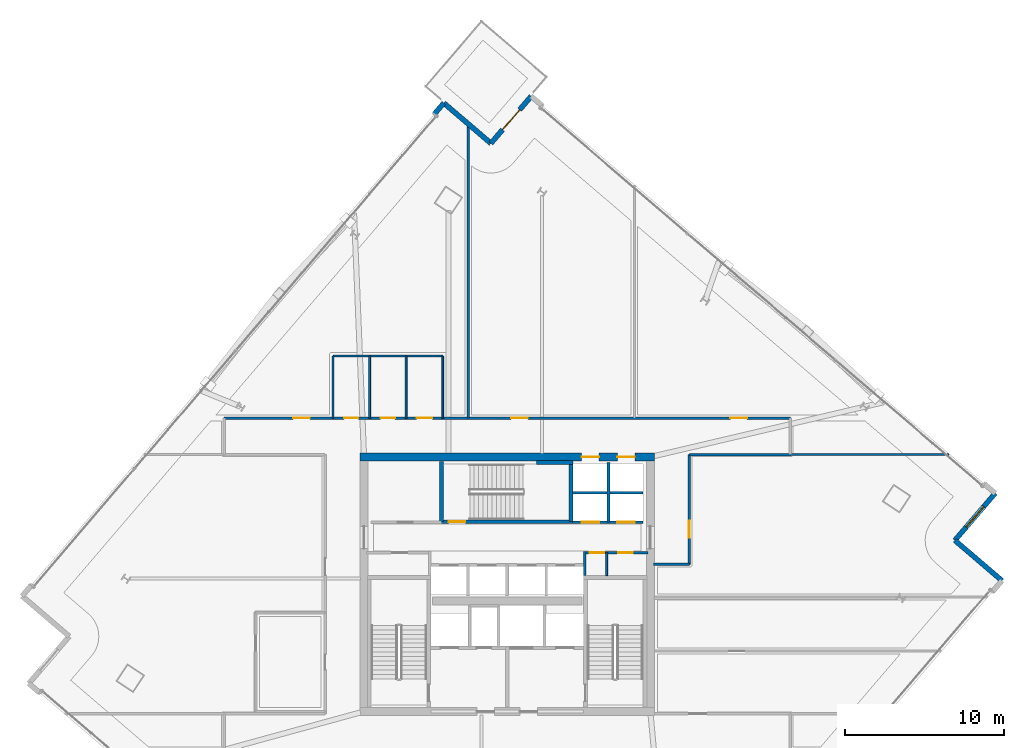
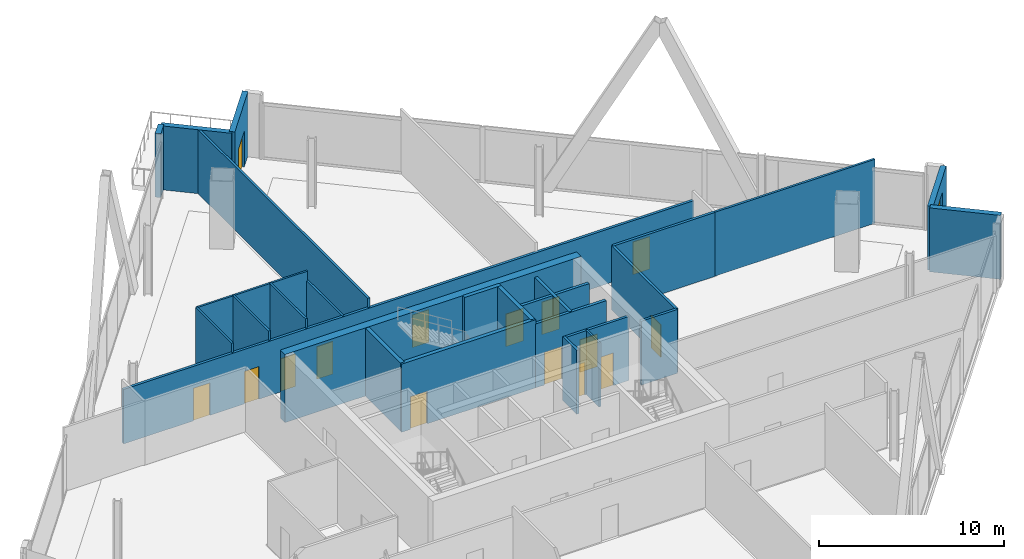
# One storey, part 20 of 26: 27 walls, 15 doors, 1 window, 16 openings.
"""IFC4 building model written with IfcOpenShell, lengths in metres."""

from ifc_helpers import new_model, si_unit, direction, frame, frame_2d, origin, place, context, subcontext, project, spatial, rectangle, extrude, material, layer, layer_set, type_object, element, fill, save


model = new_model("IFC4")

# Units and contexts
model_context = context("Model", 3, precision=1e-05, world=origin(), true_north=direction((0.0, 1.0)))
body_context = subcontext(model_context, "Body", "Model", "MODEL_VIEW")
ifc_project = project(units=[si_unit("LENGTHUNIT", "METRE"), si_unit("AREAUNIT", "SQUARE_METRE"), si_unit("VOLUMEUNIT", "CUBIC_METRE"), si_unit("PLANEANGLEUNIT", "RADIAN"), si_unit("MASSUNIT", "GRAM", prefix="KILO")], contexts=[model_context])

# Site, building, storey
site_placement = place(None, origin())
site = spatial("IfcSite", under=ifc_project, at=site_placement, CompositionType="ELEMENT")
building_placement = place(site_placement, origin())
building = spatial("IfcBuilding", under=site, at=building_placement, Name="Haldenkirk Collegiate Tower", CompositionType="ELEMENT")
storey_placement = place(building_placement, frame((0.0, 0.0, 193.949951171875)))
storey = spatial("IfcBuildingStorey", under=building, at=storey_placement, Name="L48", CompositionType="ELEMENT", Elevation=193.949951171875)

# Wall, openings, doors
ifc_material_1 = material(Name="Concrete f'c 55 MPa", Category="concrete")
ifc_layer_1 = layer(ifc_material_1, 0.5)
ifc_layer_set_1 = layer_set([ifc_layer_1], Name="Concrete f'c 55 MPa")
wall_type_1 = type_object("IfcWallType", Name="WL-CORE-500", PredefinedType="SHEAR", material=ifc_layer_set_1)
wall_1_placement = place(storey_placement, frame((26.75, 34.0, 0.0), z_axis=(0.0, 0.0, 1.0), x_axis=(1.0, 0.0, 0.0)))
wall_1 = element("IfcWall", 1, at=wall_1_placement, inside=storey, type_object=wall_type_1, Name="L48 central core shear wall N", PredefinedType="SHEAR", context=body_context, shape_type="SweptSolid", body=[
    extrude(rectangle(XDim=18.5, YDim=0.5, at=frame_2d((9.25, 0.0))), origin(), (0.0, 0.0, 1.0), 4.5),
])
opening_1_placement = place(wall_1_placement, frame((13.93505859375, 0.0, 0.0)))
opening_1 = element("IfcOpeningElement", 2, at=opening_1_placement, cuts=wall_1, Name="Opening LD-11", PredefinedType="OPENING", context=body_context, shape_type="SweptSolid", body=[
    extrude(rectangle(XDim=1.10009765625, YDim=2.14990234375, at=frame_2d((0.550048828125, 1.074951171875))), frame((0.0, 0.260009765625, 0.0), z_axis=(0.0, -1.0, 0.0), x_axis=(1.0, 0.0, 0.0)), (0.0, 0.0, 1.0), 0.52001953125),
])
opening_2_placement = place(wall_1_placement, frame((16.18505859375, 0.0, 0.0)))
opening_2 = element("IfcOpeningElement", 3, at=opening_2_placement, cuts=wall_1, Name="Opening LD-11", PredefinedType="OPENING", context=body_context, shape_type="SweptSolid", body=[
    extrude(rectangle(XDim=1.10009765625, YDim=2.14990234375, at=frame_2d((0.550048828125, 1.074951171875))), frame((0.0, 0.260009765625, 0.0), z_axis=(0.0, -1.0, 0.0), x_axis=(1.0, 0.0, 0.0)), (0.0, 0.0, 1.0), 0.52001953125),
])
ifc_material_2 = material(Name="Brushed architectural stainless steel", Category="steel")
ifc_layer_2 = layer(ifc_material_2, 0.06005859375)
ifc_layer_set_2 = layer_set([ifc_layer_2], Name="Brushed architectural stainless steel")
door_type_1 = type_object("IfcDoorType", Name="LD-PASS-1100", OperationType="NOTDEFINED", PredefinedType="DOOR", material=ifc_layer_set_2)
door_1_placement = place(opening_1_placement, origin())
door_1 = element("IfcDoor", 4, at=door_1_placement, inside=storey, type_object=door_type_1, Name="L48 Elevator PM3 sliding landing door", OperationType="SLIDING_TO_LEFT", OverallHeight=2.14990234375, OverallWidth=1.10009765625, PredefinedType="DOOR", context=body_context, shape_type="SweptSolid", body=[
    extrude(rectangle(XDim=1.10009765625, YDim=2.14990234375, at=frame_2d((0.550048828125, 1.074951171875))), frame((0.0, 0.02490234375, 0.0), z_axis=(0.0, -1.0, 0.0), x_axis=(1.0, 0.0, 0.0)), (0.0, 0.0, 1.0), 0.050048828125),
])
fill(opening_1, door_1)
door_2_placement = place(opening_2_placement, origin())
door_2 = element("IfcDoor", 5, at=door_2_placement, inside=storey, type_object=door_type_1, Name="L48 Elevator PM4 sliding landing door", OperationType="SLIDING_TO_LEFT", OverallHeight=2.14990234375, OverallWidth=1.10009765625, PredefinedType="DOOR", context=body_context, shape_type="SweptSolid", body=[
    extrude(rectangle(XDim=1.10009765625, YDim=2.14990234375, at=frame_2d((0.550048828125, 1.074951171875))), frame((0.0, 0.02490234375, 0.0), z_axis=(0.0, -1.0, 0.0), x_axis=(1.0, 0.0, 0.0)), (0.0, 0.0, 1.0), 0.050048828125),
])
fill(opening_2, door_2)

# Wall
ifc_material_3 = material(Name="Precast concrete f'c 40 MPa", Category="concrete")
ifc_layer_3 = layer(ifc_material_3, 0.320068359375)
ifc_layer_set_3 = layer_set([ifc_layer_3], Name="Precast concrete f'c 40 MPa")
wall_type_2 = type_object("IfcWallType", Name="WL-EXT-TWR-320", PredefinedType="STANDARD", material=ifc_layer_set_3)
wall_2_placement = place(storey_placement, frame((64.155029296875, 28.758544921875, 0.0), z_axis=(0.0, 0.0, 1.0), x_axis=(0.759844000319, -0.650105449276, 0.0)))
element("IfcWall", 6, at=wall_2_placement, inside=storey, type_object=wall_type_2, Name="L48 bronze precast notch wall 02", PredefinedType="STANDARD", context=body_context, shape_type="SweptSolid", body=[
    extrude(rectangle(XDim=3.89990234375, YDim=0.320068359375, at=frame_2d((1.949951171875, 0.0))), origin(), (0.0, 0.0, 1.0), 4.219970703125),
])

# Wall, opening, window
wall_3_placement = place(storey_placement, frame((66.6904296875, 31.721923828125, 0.0), z_axis=(0.0, 0.0, 1.0), x_axis=(-0.650105449276, -0.759844000319, 0.0)))
wall_3 = element("IfcWall", 7, at=wall_3_placement, inside=storey, type_object=wall_type_2, Name="L48 bronze precast notch wall 03", PredefinedType="STANDARD", context=body_context, shape_type="SweptSolid", body=[
    extrude(rectangle(XDim=3.89990234375, YDim=0.320068359375, at=frame_2d((1.949951171875, 0.0))), origin(), (0.0, 0.0, 1.0), 4.219970703125),
])
opening_3_placement = place(wall_3_placement, frame((1.10009765625, 0.0, 0.75)))
opening_3 = element("IfcOpeningElement", 8, at=opening_3_placement, cuts=wall_3, Name="Opening W-09", PredefinedType="OPENING", context=body_context, shape_type="SweptSolid", body=[
    extrude(rectangle(XDim=1.699951171875, YDim=2.5, at=frame_2d((0.85009765625, 1.25))), frame((0.0, 0.169921875, 0.0), z_axis=(0.0, -1.0, 0.0), x_axis=(1.0, 0.0, 0.0)), (0.0, 0.0, 1.0), 0.340087890625),
])
ifc_material_4 = material(Name="Low-E argon triple insulating glass", Category="glass")
ifc_layer_4 = layer(ifc_material_4, 0.090087890625)
ifc_layer_set_4 = layer_set([ifc_layer_4], Name="Low-E argon triple insulating glass")
window_type = type_object("IfcWindowType", Name="WN-SG-1700X2500", PartitioningType="SINGLE_PANEL", PredefinedType="WINDOW", material=ifc_layer_set_4)
window_placement = place(opening_3_placement, origin())
window = element("IfcWindow", 9, at=window_placement, inside=storey, type_object=window_type, Name="L48 precast-frame academic window 2", OverallHeight=2.5, OverallWidth=1.699951171875, PartitioningType="SINGLE_PANEL", PredefinedType="WINDOW", context=body_context, shape_type="SweptSolid", body=[
    extrude(rectangle(XDim=1.699951171875, YDim=2.5, at=frame_2d((0.85009765625, 1.25))), frame((0.0, 0.030029296875, 0.0), z_axis=(0.0, -1.0, 0.0), x_axis=(1.0, 0.0, 0.0)), (0.0, 0.0, 1.0), 0.06005859375),
])
fill(opening_3, window)

# Wall, opening, door
wall_4_placement = place(storey_placement, frame((34.977294921875, 53.722900390625, 0.0), z_axis=(0.0, 0.0, 1.0), x_axis=(0.650105449276, 0.759844000319, 0.0)))
wall_4 = element("IfcWall", 10, at=wall_4_placement, inside=storey, type_object=wall_type_2, Name="L48 bronze precast notch wall 05", PredefinedType="STANDARD", context=body_context, shape_type="SweptSolid", body=[
    extrude(rectangle(XDim=3.89990234375, YDim=0.320068359375, at=frame_2d((1.949951171875, 0.0))), origin(), (0.0, 0.0, 1.0), 4.219970703125),
])
opening_4_placement = place(wall_4_placement, frame((1.125, 0.0, 0.0)))
opening_4 = element("IfcOpeningElement", 11, at=opening_4_placement, cuts=wall_4, Name="Opening D-SG16", PredefinedType="OPENING", context=body_context, shape_type="SweptSolid", body=[
    extrude(rectangle(XDim=1.64990234375, YDim=2.35009765625, at=frame_2d((0.824951171875, 1.175048828125))), frame((0.0, 0.169921875, 0.0), z_axis=(0.0, -1.0, 0.0), x_axis=(1.0, 0.0, 0.0)), (0.0, 0.0, 1.0), 0.340087890625),
])
ifc_material_5 = material(Name="Anodised architectural bronze aluminium", Category="aluminium")
ifc_layer_5 = layer(ifc_material_5, 0.080078125)
ifc_layer_set_5 = layer_set([ifc_layer_5], Name="Anodised architectural bronze aluminium")
door_type_2 = type_object("IfcDoorType", Name="DR-EXT-SGAR-1650", OperationType="NOTDEFINED", PredefinedType="DOOR", material=ifc_layer_set_5)
door_3_placement = place(opening_4_placement, origin())
door_3 = element("IfcDoor", 12, at=door_3_placement, inside=storey, type_object=door_type_2, Name="L48 sky-garden door", OperationType="DOUBLE_DOOR_SINGLE_SWING", OverallHeight=2.35009765625, OverallWidth=1.64990234375, PredefinedType="DOOR", context=body_context, shape_type="SweptSolid", body=[
    extrude(rectangle(XDim=1.64990234375, YDim=2.35009765625, at=frame_2d((0.824951171875, 1.175048828125))), frame((0.0, 0.02490234375, 0.0), z_axis=(0.0, -1.0, 0.0), x_axis=(1.0, 0.0, 0.0)), (0.0, 0.0, 1.0), 0.050048828125),
])
fill(opening_4, door_3)

# Walls
wall_5_placement = place(storey_placement, frame((32.013916015625, 56.25830078125, 0.0), z_axis=(0.0, 0.0, 1.0), x_axis=(0.759844000319, -0.650105449276, 0.0)))
element("IfcWall", 13, at=wall_5_placement, inside=storey, type_object=wall_type_2, Name="L48 bronze precast notch wall 06", PredefinedType="STANDARD", context=body_context, shape_type="SweptSolid", body=[
    extrude(rectangle(XDim=3.89990234375, YDim=0.320068359375, at=frame_2d((1.949951171875, 0.0))), origin(), (0.0, 0.0, 1.0), 4.219970703125),
])
wall_6_placement = place(storey_placement, frame((31.4287109375, 55.57421875, 0.0), z_axis=(0.0, 0.0, 1.0), x_axis=(0.650054054962, 0.759887969129, 0.0)))
element("IfcWall", 14, at=wall_6_placement, inside=storey, type_object=wall_type_2, Name="L48 precast corner pier NR", PredefinedType="STANDARD", context=body_context, shape_type="SweptSolid", body=[
    extrude(rectangle(XDim=0.900146484375, YDim=0.320068359375, at=frame_2d((0.4501953125, 0.0))), origin(), (0.0, 0.0, 1.0), 4.219970703125),
])

# Wall, openings, doors
ifc_material_6 = material(Name="Acoustic fire-rated gypsum partition", Category="concrete")
ifc_layer_6 = layer(ifc_material_6, 0.159912109375)
ifc_layer_set_6 = layer_set([ifc_layer_6], Name="Acoustic fire-rated gypsum partition")
wall_type_3 = type_object("IfcWallType", Name="WL-INT-CORR-160", PredefinedType="PARTITIONING", material=ifc_layer_set_6)
wall_7_placement = place(storey_placement, frame((40.800048828125, 27.97998046875, 0.0), z_axis=(0.0, 0.0, 1.0), x_axis=(1.0, 0.0, 0.0)))
wall_7 = element("IfcWall", 15, at=wall_7_placement, inside=storey, type_object=wall_type_3, Name="L48 interior partition IW-L48-VCSE-N", PredefinedType="PARTITIONING", context=body_context, shape_type="SweptSolid", body=[
    extrude(rectangle(XDim=4.050048828125, YDim=0.159912109375, at=frame_2d((2.02490234375, 0.0))), origin(), (0.0, 0.0, 1.0), 4.219970703125),
])
opening_5_placement = place(wall_7_placement, frame((0.407470703125, 0.0, 0.0)))
opening_5 = element("IfcOpeningElement", 16, at=opening_5_placement, cuts=wall_7, Name="Opening D-11", PredefinedType="OPENING", context=body_context, shape_type="SweptSolid", body=[
    extrude(rectangle(XDim=0.89990234375, YDim=2.14990234375, at=frame_2d((0.449951171875, 1.074951171875))), frame((0.0, 0.08984375, 0.0), z_axis=(0.0, -1.0, 0.0), x_axis=(1.0, 0.0, 0.0)), (0.0, 0.0, 1.0), 0.179931640625),
])
opening_6_placement = place(wall_7_placement, frame((2.199951171875, 0.0, 0.0)))
opening_6 = element("IfcOpeningElement", 17, at=opening_6_placement, cuts=wall_7, Name="Opening D-11", PredefinedType="OPENING", context=body_context, shape_type="SweptSolid", body=[
    extrude(rectangle(XDim=0.89990234375, YDim=2.14990234375, at=frame_2d((0.449951171875, 1.074951171875))), frame((0.0, 0.08984375, 0.0), z_axis=(0.0, -1.0, 0.0), x_axis=(1.0, 0.0, 0.0)), (0.0, 0.0, 1.0), 0.179931640625),
])
ifc_material_7 = material(Name="Solid-core architectural oak fire door", Category="wood")
ifc_layer_7 = layer(ifc_material_7, 0.06005859375)
ifc_layer_set_7 = layer_set([ifc_layer_7], Name="Solid-core architectural oak fire door")
door_type_3 = type_object("IfcDoorType", Name="DR-INT-FD60-900", OperationType="NOTDEFINED", PredefinedType="DOOR", material=ifc_layer_set_7)
door_4_placement = place(opening_5_placement, origin())
door_4 = element("IfcDoor", 18, at=door_4_placement, inside=storey, type_object=door_type_3, Name="L48 core copy room door", OperationType="SINGLE_SWING_RIGHT", OverallHeight=2.14990234375, OverallWidth=0.89990234375, PredefinedType="DOOR", context=body_context, shape_type="SweptSolid", body=[
    extrude(rectangle(XDim=0.89990234375, YDim=2.14990234375, at=frame_2d((0.449951171875, 1.074951171875))), frame((0.0, 0.02490234375, 0.0), z_axis=(0.0, -1.0, 0.0), x_axis=(1.0, 0.0, 0.0)), (0.0, 0.0, 1.0), 0.050048828125),
])
fill(opening_5, door_4)
door_5_placement = place(opening_6_placement, origin())
door_5 = element("IfcDoor", 19, at=door_5_placement, inside=storey, type_object=door_type_3, Name="L48 core records store door", OperationType="SINGLE_SWING_LEFT", OverallHeight=2.14990234375, OverallWidth=0.89990234375, PredefinedType="DOOR", context=body_context, shape_type="SweptSolid", body=[
    extrude(rectangle(XDim=0.89990234375, YDim=2.14990234375, at=frame_2d((0.449951171875, 1.074951171875))), frame((0.0, 0.02490234375, 0.0), z_axis=(0.0, -1.0, 0.0), x_axis=(1.0, 0.0, 0.0)), (0.0, 0.0, 1.0), 0.050048828125),
])
fill(opening_6, door_5)

# Wall
wall_8_placement = place(storey_placement, frame((40.8798828125, 26.5400390625, 0.0), z_axis=(0.0, 0.0, 1.0), x_axis=(0.0, 1.0, 0.0)))
element("IfcWall", 20, at=wall_8_placement, inside=storey, type_object=wall_type_3, Name="L48 interior partition IW-L48-VCSE-W", PredefinedType="PARTITIONING", context=body_context, shape_type="SweptSolid", body=[
    extrude(rectangle(XDim=1.510009765625, YDim=0.159912109375, at=frame_2d((0.7548828125, 0.0))), origin(), (0.0, 0.0, 1.0), 4.219970703125),
])

# Wall, openings, doors
wall_9_placement = place(storey_placement, frame((18.199951171875, 36.449951171875, 0.0), z_axis=(0.0, 0.0, 1.0), x_axis=(1.0, 0.0, 0.0)))
wall_9 = element("IfcWall", 21, at=wall_9_placement, inside=storey, type_object=wall_type_3, Name="L48 interior partition IW-L48-CN", PredefinedType="PARTITIONING", context=body_context, shape_type="SweptSolid", body=[
    extrude(rectangle(XDim=35.60009765625, YDim=0.159912109375, at=frame_2d((17.800048828125, 0.0))), origin(), (0.0, 0.0, 1.0), 3.59912109375),
])
opening_7_placement = place(wall_9_placement, frame((7.550048828125, 0.0, 0.0)))
opening_7 = element("IfcOpeningElement", 22, at=opening_7_placement, cuts=wall_9, Name="Opening D-13", PredefinedType="OPENING", context=body_context, shape_type="SweptSolid", body=[
    extrude(rectangle(XDim=0.89990234375, YDim=2.14990234375, at=frame_2d((0.449951171875, 1.074951171875))), frame((0.0, 0.08984375, 0.0), z_axis=(0.0, -1.0, 0.0), x_axis=(1.0, 0.0, 0.0)), (0.0, 0.0, 1.0), 0.179931640625),
])
opening_8_placement = place(wall_9_placement, frame((9.85009765625, 0.0, 0.0)))
opening_8 = element("IfcOpeningElement", 23, at=opening_8_placement, cuts=wall_9, Name="Opening D-13", PredefinedType="OPENING", context=body_context, shape_type="SweptSolid", body=[
    extrude(rectangle(XDim=0.89990234375, YDim=2.14990234375, at=frame_2d((0.449951171875, 1.074951171875))), frame((0.0, 0.08984375, 0.0), z_axis=(0.0, -1.0, 0.0), x_axis=(1.0, 0.0, 0.0)), (0.0, 0.0, 1.0), 0.179931640625),
])
opening_9_placement = place(wall_9_placement, frame((12.10009765625, 0.0, 0.0)))
opening_9 = element("IfcOpeningElement", 24, at=opening_9_placement, cuts=wall_9, Name="Opening D-14", PredefinedType="OPENING", context=body_context, shape_type="SweptSolid", body=[
    extrude(rectangle(XDim=1.0, YDim=2.14990234375, at=frame_2d((0.5, 1.074951171875))), frame((0.0, 0.08984375, 0.0), z_axis=(0.0, -1.0, 0.0), x_axis=(1.0, 0.0, 0.0)), (0.0, 0.0, 1.0), 0.179931640625),
])
opening_10_placement = place(wall_9_placement, frame((4.344970703125, 0.0, 0.0)))
opening_10 = element("IfcOpeningElement", 25, at=opening_10_placement, cuts=wall_9, Name="Opening D-09", PredefinedType="OPENING", context=body_context, shape_type="SweptSolid", body=[
    extrude(rectangle(XDim=1.050048828125, YDim=2.14990234375, at=frame_2d((0.52490234375, 1.074951171875))), frame((0.0, 0.08984375, 0.0), z_axis=(0.0, -1.0, 0.0), x_axis=(1.0, 0.0, 0.0)), (0.0, 0.0, 1.0), 0.179931640625),
])
opening_11_placement = place(wall_9_placement, frame((18.049072265625, 0.0, 0.0)))
opening_11 = element("IfcOpeningElement", 26, at=opening_11_placement, cuts=wall_9, Name="Opening D-09", PredefinedType="OPENING", context=body_context, shape_type="SweptSolid", body=[
    extrude(rectangle(XDim=1.050048828125, YDim=2.14990234375, at=frame_2d((0.52490234375, 1.074951171875))), frame((0.0, 0.08984375, 0.0), z_axis=(0.0, -1.0, 0.0), x_axis=(1.0, 0.0, 0.0)), (0.0, 0.0, 1.0), 0.179931640625),
])
opening_12_placement = place(wall_9_placement, frame((31.8330078125, 0.0, 0.0)))
opening_12 = element("IfcOpeningElement", 27, at=opening_12_placement, cuts=wall_9, Name="Opening D-09", PredefinedType="OPENING", context=body_context, shape_type="SweptSolid", body=[
    extrude(rectangle(XDim=1.050048828125, YDim=2.14990234375, at=frame_2d((0.52490234375, 1.074951171875))), frame((0.0, 0.08984375, 0.0), z_axis=(0.0, -1.0, 0.0), x_axis=(1.0, 0.0, 0.0)), (0.0, 0.0, 1.0), 0.179931640625),
])
ifc_layer_8 = layer(ifc_material_7, 0.06005859375)
ifc_layer_set_8 = layer_set([ifc_layer_8], Name="Solid-core architectural oak fire door")
door_type_4 = type_object("IfcDoorType", Name="DR-INT-ACC-1000", OperationType="NOTDEFINED", PredefinedType="DOOR", material=ifc_layer_set_8)
door_6_placement = place(opening_9_placement, origin())
door_6 = element("IfcDoor", 28, at=door_6_placement, inside=storey, type_object=door_type_4, Name="L48 Accessible WC door", OperationType="SINGLE_SWING_LEFT", OverallHeight=2.14990234375, OverallWidth=1.0, PredefinedType="DOOR", context=body_context, shape_type="SweptSolid", body=[
    extrude(rectangle(XDim=1.0, YDim=2.14990234375, at=frame_2d((0.5, 1.074951171875))), frame((0.0, 0.02490234375, 0.0), z_axis=(0.0, -1.0, 0.0), x_axis=(1.0, 0.0, 0.0)), (0.0, 0.0, 1.0), 0.050048828125),
])
fill(opening_9, door_6)
ifc_layer_9 = layer(ifc_material_7, 0.06005859375)
ifc_layer_set_9 = layer_set([ifc_layer_9], Name="Solid-core architectural oak fire door")
door_type_5 = type_object("IfcDoorType", Name="DR-INT-FD60-1050", OperationType="NOTDEFINED", PredefinedType="DOOR", material=ifc_layer_set_9)
door_7_placement = place(opening_10_placement, origin())
door_7 = element("IfcDoor", 29, at=door_7_placement, inside=storey, type_object=door_type_5, Name="L48 Rare Folio Vault 6 door", OperationType="SINGLE_SWING_LEFT", OverallHeight=2.14990234375, OverallWidth=1.050048828125, PredefinedType="DOOR", context=body_context, shape_type="SweptSolid", body=[
    extrude(rectangle(XDim=1.050048828125, YDim=2.14990234375, at=frame_2d((0.52490234375, 1.074951171875))), frame((0.0, 0.02490234375, 0.0), z_axis=(0.0, -1.0, 0.0), x_axis=(1.0, 0.0, 0.0)), (0.0, 0.0, 1.0), 0.050048828125),
])
fill(opening_10, door_7)
door_8_placement = place(opening_11_placement, origin())
door_8 = element("IfcDoor", 30, at=door_8_placement, inside=storey, type_object=door_type_5, Name="L48 Student Wellness Clinic 7 door", OperationType="SINGLE_SWING_RIGHT", OverallHeight=2.14990234375, OverallWidth=1.050048828125, PredefinedType="DOOR", context=body_context, shape_type="SweptSolid", body=[
    extrude(rectangle(XDim=1.050048828125, YDim=2.14990234375, at=frame_2d((0.52490234375, 1.074951171875))), frame((0.0, 0.02490234375, 0.0), z_axis=(0.0, -1.0, 0.0), x_axis=(1.0, 0.0, 0.0)), (0.0, 0.0, 1.0), 0.050048828125),
])
fill(opening_11, door_8)
door_9_placement = place(opening_12_placement, origin())
door_9 = element("IfcDoor", 31, at=door_9_placement, inside=storey, type_object=door_type_5, Name="L48 Ergonomics Clinic 8 door", OperationType="SINGLE_SWING_LEFT", OverallHeight=2.14990234375, OverallWidth=1.050048828125, PredefinedType="DOOR", context=body_context, shape_type="SweptSolid", body=[
    extrude(rectangle(XDim=1.050048828125, YDim=2.14990234375, at=frame_2d((0.52490234375, 1.074951171875))), frame((0.0, 0.02490234375, 0.0), z_axis=(0.0, -1.0, 0.0), x_axis=(1.0, 0.0, 0.0)), (0.0, 0.0, 1.0), 0.050048828125),
])
fill(opening_12, door_9)
ifc_layer_10 = layer(ifc_material_7, 0.06005859375)
ifc_layer_set_10 = layer_set([ifc_layer_10], Name="Solid-core architectural oak fire door")
door_type_6 = type_object("IfcDoorType", Name="DR-INT-STD-900", OperationType="NOTDEFINED", PredefinedType="DOOR", material=ifc_layer_set_10)
door_10_placement = place(opening_7_placement, origin())
door_10 = element("IfcDoor", 32, at=door_10_placement, inside=storey, type_object=door_type_6, Name="L48 Male WC door", OperationType="SINGLE_SWING_LEFT", OverallHeight=2.14990234375, OverallWidth=0.89990234375, PredefinedType="DOOR", context=body_context, shape_type="SweptSolid", body=[
    extrude(rectangle(XDim=0.89990234375, YDim=2.14990234375, at=frame_2d((0.449951171875, 1.074951171875))), frame((0.0, 0.02490234375, 0.0), z_axis=(0.0, -1.0, 0.0), x_axis=(1.0, 0.0, 0.0)), (0.0, 0.0, 1.0), 0.050048828125),
])
fill(opening_7, door_10)
door_11_placement = place(opening_8_placement, origin())
door_11 = element("IfcDoor", 33, at=door_11_placement, inside=storey, type_object=door_type_6, Name="L48 Female WC door", OperationType="SINGLE_SWING_RIGHT", OverallHeight=2.14990234375, OverallWidth=0.89990234375, PredefinedType="DOOR", context=body_context, shape_type="SweptSolid", body=[
    extrude(rectangle(XDim=0.89990234375, YDim=2.14990234375, at=frame_2d((0.449951171875, 1.074951171875))), frame((0.0, 0.02490234375, 0.0), z_axis=(0.0, -1.0, 0.0), x_axis=(1.0, 0.0, 0.0)), (0.0, 0.0, 1.0), 0.050048828125),
])
fill(opening_8, door_11)

# Wall
wall_10_placement = place(storey_placement, frame((47.449951171875, 34.14990234375, 0.0), z_axis=(0.0, 0.0, 1.0), x_axis=(1.0, 0.0, 0.0)))
element("IfcWall", 34, at=wall_10_placement, inside=storey, type_object=wall_type_3, Name="L48 interior partition IW-L48-CNE", PredefinedType="PARTITIONING", context=body_context, shape_type="SweptSolid", body=[
    extrude(rectangle(XDim=6.35009765625, YDim=0.159912109375, at=frame_2d((3.175048828125, 0.0))), origin(), (0.0, 0.0, 1.0), 4.219970703125),
])

# Wall, opening, door
wall_11_placement = place(storey_placement, frame((47.449951171875, 27.25, 0.0), z_axis=(0.0, 0.0, 1.0), x_axis=(0.0, 1.0, 0.0)))
wall_11 = element("IfcWall", 35, at=wall_11_placement, inside=storey, type_object=wall_type_3, Name="L48 interior partition IW-L48-CE", PredefinedType="PARTITIONING", context=body_context, shape_type="SweptSolid", body=[
    extrude(rectangle(XDim=6.89990234375, YDim=0.159912109375, at=frame_2d((3.449951171875, 0.0))), origin(), (0.0, 0.0, 1.0), 4.219970703125),
])
opening_13_placement = place(wall_11_placement, frame((1.68310546875, 0.0, 0.0)))
opening_13 = element("IfcOpeningElement", 36, at=opening_13_placement, cuts=wall_11, Name="Opening D-09", PredefinedType="OPENING", context=body_context, shape_type="SweptSolid", body=[
    extrude(rectangle(XDim=1.050048828125, YDim=2.14990234375, at=frame_2d((0.52490234375, 1.074951171875))), frame((0.0, 0.08984375, 0.0), z_axis=(0.0, -1.0, 0.0), x_axis=(1.0, 0.0, 0.0)), (0.0, 0.0, 1.0), 0.179931640625),
])
door_12_placement = place(opening_13_placement, origin())
door_12 = element("IfcDoor", 37, at=door_12_placement, inside=storey, type_object=door_type_5, Name="L48 Rare Folio Vault 12 door", OperationType="SINGLE_SWING_LEFT", OverallHeight=2.14990234375, OverallWidth=1.050048828125, PredefinedType="DOOR", context=body_context, shape_type="SweptSolid", body=[
    extrude(rectangle(XDim=1.050048828125, YDim=2.14990234375, at=frame_2d((0.52490234375, 1.074951171875))), frame((0.0, 0.02490234375, 0.0), z_axis=(0.0, -1.0, 0.0), x_axis=(1.0, 0.0, 0.0)), (0.0, 0.0, 1.0), 0.050048828125),
])
fill(opening_13, door_12)

# Walls
wall_12_placement = place(storey_placement, frame((45.199951171875, 27.25, 0.0), z_axis=(0.0, 0.0, 1.0), x_axis=(1.0, 0.0, 0.0)))
element("IfcWall", 38, at=wall_12_placement, inside=storey, type_object=wall_type_3, Name="L48 interior partition IW-L48-CES", PredefinedType="PARTITIONING", context=body_context, shape_type="SweptSolid", body=[
    extrude(rectangle(XDim=2.25, YDim=0.159912109375, at=frame_2d((1.125, 0.0))), origin(), (0.0, 0.0, 1.0), 4.219970703125),
])
ifc_layer_11 = layer(ifc_material_6, 0.139892578125)
ifc_layer_set_11 = layer_set([ifc_layer_11], Name="Acoustic fire-rated gypsum partition")
wall_type_4 = type_object("IfcWallType", Name="WL-INT-DIV-140", PredefinedType="PARTITIONING", material=ifc_layer_set_11)
wall_13_placement = place(storey_placement, frame((53.800048828125, 34.14990234375, 0.0), z_axis=(0.0, 0.0, 1.0), x_axis=(1.0, 0.0, 0.0)))
element("IfcWall", 39, at=wall_13_placement, inside=storey, type_object=wall_type_4, Name="L48 interior partition IW-L48-BEN", PredefinedType="PARTITIONING", context=body_context, shape_type="SweptSolid", body=[
    extrude(rectangle(XDim=9.990966796875, YDim=0.139892578125, at=frame_2d((4.99560546875, 0.0))), origin(), (0.0, 0.0, 1.0), 4.219970703125),
])
wall_14_placement = place(storey_placement, frame((33.550048828125, 36.449951171875, 0.0), z_axis=(0.0, 0.0, 1.0), x_axis=(0.0, 1.0, 0.0)))
element("IfcWall", 40, at=wall_14_placement, inside=storey, type_object=wall_type_4, Name="L48 interior partition IW-L48-RN1", PredefinedType="PARTITIONING", context=body_context, shape_type="SweptSolid", body=[
    extrude(rectangle(XDim=18.44140625, YDim=0.139892578125, at=frame_2d((9.220703125, 0.0))), origin(), (0.0, 0.0, 1.0), 4.219970703125),
])

# Wall, openings, doors
ifc_material_8 = material(Name="Fire-rated gypsum shaftboard assembly", Category="concrete")
ifc_layer_12 = layer(ifc_material_8, 0.179931640625)
ifc_layer_set_12 = layer_set([ifc_layer_12], Name="Fire-rated gypsum shaftboard assembly")
wall_type_5 = type_object("IfcWallType", Name="WL-INT-SHAFT-180", PredefinedType="PARTITIONING", material=ifc_layer_set_12)
wall_15_placement = place(storey_placement, frame((40.1201171875, 29.89990234375, 0.0), z_axis=(0.0, 0.0, 1.0), x_axis=(1.0, 0.0, 0.0)))
wall_15 = element("IfcWall", 41, at=wall_15_placement, inside=storey, type_object=wall_type_5, Name="L48 interior partition IW-L48-PMS", PredefinedType="PARTITIONING", context=body_context, shape_type="SweptSolid", body=[
    extrude(rectangle(XDim=4.429931640625, YDim=0.179931640625, at=frame_2d((2.21484375, 0.0))), origin(), (0.0, 0.0, 1.0), 4.219970703125),
])
opening_14_placement = place(wall_15_placement, frame((0.56494140625, 0.0, 0.0)))
opening_14 = element("IfcOpeningElement", 42, at=opening_14_placement, cuts=wall_15, Name="Opening LD-11", PredefinedType="OPENING", context=body_context, shape_type="SweptSolid", body=[
    extrude(rectangle(XDim=1.10009765625, YDim=2.14990234375, at=frame_2d((0.550048828125, 1.074951171875))), frame((0.0, 0.099853515625, 0.0), z_axis=(0.0, -1.0, 0.0), x_axis=(1.0, 0.0, 0.0)), (0.0, 0.0, 1.0), 0.199951171875),
])
opening_15_placement = place(wall_15_placement, frame((2.81494140625, 0.0, 0.0)))
opening_15 = element("IfcOpeningElement", 43, at=opening_15_placement, cuts=wall_15, Name="Opening LD-11", PredefinedType="OPENING", context=body_context, shape_type="SweptSolid", body=[
    extrude(rectangle(XDim=1.10009765625, YDim=2.14990234375, at=frame_2d((0.550048828125, 1.074951171875))), frame((0.0, 0.099853515625, 0.0), z_axis=(0.0, -1.0, 0.0), x_axis=(1.0, 0.0, 0.0)), (0.0, 0.0, 1.0), 0.199951171875),
])
door_13_placement = place(opening_14_placement, origin())
door_13 = element("IfcDoor", 44, at=door_13_placement, inside=storey, type_object=door_type_1, Name="L48 Elevator PM1 sliding landing door", OperationType="SLIDING_TO_LEFT", OverallHeight=2.14990234375, OverallWidth=1.10009765625, PredefinedType="DOOR", context=body_context, shape_type="SweptSolid", body=[
    extrude(rectangle(XDim=1.10009765625, YDim=2.14990234375, at=frame_2d((0.550048828125, 1.074951171875))), frame((0.0, 0.02490234375, 0.0), z_axis=(0.0, -1.0, 0.0), x_axis=(1.0, 0.0, 0.0)), (0.0, 0.0, 1.0), 0.050048828125),
])
fill(opening_14, door_13)
door_14_placement = place(opening_15_placement, origin())
door_14 = element("IfcDoor", 45, at=door_14_placement, inside=storey, type_object=door_type_1, Name="L48 Elevator PM2 sliding landing door", OperationType="SLIDING_TO_LEFT", OverallHeight=2.14990234375, OverallWidth=1.10009765625, PredefinedType="DOOR", context=body_context, shape_type="SweptSolid", body=[
    extrude(rectangle(XDim=1.10009765625, YDim=2.14990234375, at=frame_2d((0.550048828125, 1.074951171875))), frame((0.0, 0.02490234375, 0.0), z_axis=(0.0, -1.0, 0.0), x_axis=(1.0, 0.0, 0.0)), (0.0, 0.0, 1.0), 0.050048828125),
])
fill(opening_15, door_14)

# Walls
wall_16_placement = place(storey_placement, frame((40.1201171875, 31.75, 0.0), z_axis=(0.0, 0.0, 1.0), x_axis=(1.0, 0.0, 0.0)))
element("IfcWall", 46, at=wall_16_placement, inside=storey, type_object=wall_type_5, Name="L48 interior partition IW-L48-PMM", PredefinedType="PARTITIONING", context=body_context, shape_type="SweptSolid", body=[
    extrude(rectangle(XDim=4.429931640625, YDim=0.179931640625, at=frame_2d((2.21484375, 0.0))), origin(), (0.0, 0.0, 1.0), 4.219970703125),
])
wall_17_placement = place(storey_placement, frame((42.3701171875, 29.89990234375, 0.0), z_axis=(0.0, 0.0, 1.0), x_axis=(0.0, 1.0, 0.0)))
element("IfcWall", 47, at=wall_17_placement, inside=storey, type_object=wall_type_5, Name="L48 interior partition IW-L48-PMV", PredefinedType="PARTITIONING", context=body_context, shape_type="SweptSolid", body=[
    extrude(rectangle(XDim=3.75, YDim=0.179931640625, at=frame_2d((1.875, 0.0))), origin(), (0.0, 0.0, 1.0), 4.219970703125),
])
ifc_layer_13 = layer(ifc_material_6, 0.1201171875)
ifc_layer_set_13 = layer_set([ifc_layer_13], Name="Acoustic fire-rated gypsum partition")
wall_type_6 = type_object("IfcWallType", Name="WL-INT-WET-120", PredefinedType="PARTITIONING", material=ifc_layer_set_13)
wall_18_placement = place(storey_placement, frame((42.25, 26.5400390625, 0.0), z_axis=(0.0, 0.0, 1.0), x_axis=(0.0, 1.0, 0.0)))
element("IfcWall", 48, at=wall_18_placement, inside=storey, type_object=wall_type_6, Name="L48 interior partition IW-L48-VCSE-M", PredefinedType="PARTITIONING", context=body_context, shape_type="SweptSolid", body=[
    extrude(rectangle(XDim=1.43994140625, YDim=0.1201171875, at=frame_2d((0.719970703125, 0.0))), origin(), (0.0, 0.0, 1.0), 4.219970703125),
])
for number, where, z_axis, x_axis, name in (
    (49, (25.050048828125, 36.449951171875, 0.0), (0.0, 0.0, 1.0), (0.0, 1.0, 0.0), "L48 interior partition IW-L48-WCW"),
    (50, (27.35009765625, 36.449951171875, 0.0), (0.0, 0.0, 1.0), (0.0, 1.0, 0.0), "L48 interior partition IW-L48-WC1"),
    (51, (29.64990234375, 36.449951171875, 0.0), (0.0, 0.0, 1.0), (0.0, 1.0, 0.0), "L48 interior partition IW-L48-WC2"),
):
    element("IfcWall", number, at=place(storey_placement, frame(where, z_axis=z_axis, x_axis=x_axis)), inside=storey, type_object=wall_type_6, Name=name, PredefinedType="PARTITIONING", context=body_context, shape_type="SweptSolid", body=[
        extrude(rectangle(XDim=3.900146484375, YDim=0.1201171875, at=frame_2d((1.9501953125, 0.0))), origin(), (0.0, 0.0, 1.0), 4.219970703125),
    ])
wall_19_placement = place(storey_placement, frame((31.949951171875, 36.449951171875, 0.0), z_axis=(0.0, 0.0, 1.0), x_axis=(0.0, 1.0, 0.0)))
element("IfcWall", 52, at=wall_19_placement, inside=storey, type_object=wall_type_6, Name="L48 interior partition IW-L48-WCE", PredefinedType="PARTITIONING", context=body_context, shape_type="SweptSolid", body=[
    extrude(rectangle(XDim=3.900146484375, YDim=0.1201171875, at=frame_2d((1.9501953125, 0.0))), origin(), (0.0, 0.0, 1.0), 3.59912109375),
])
wall_20_placement = place(storey_placement, frame((25.050048828125, 40.35009765625, 0.0), z_axis=(0.0, 0.0, 1.0), x_axis=(1.0, 0.0, 0.0)))
element("IfcWall", 53, at=wall_20_placement, inside=storey, type_object=wall_type_6, Name="L48 interior partition IW-L48-WCB", PredefinedType="PARTITIONING", context=body_context, shape_type="SweptSolid", body=[
    extrude(rectangle(XDim=6.89990234375, YDim=0.1201171875, at=frame_2d((3.449951171875, 0.0))), origin(), (0.0, 0.0, 1.0), 4.219970703125),
])

# Wall, opening, door
ifc_layer_14 = layer(ifc_material_1, 0.239990234375)
ifc_layer_set_14 = layer_set([ifc_layer_14], Name="Concrete f'c 55 MPa")
wall_type_7 = type_object("IfcWallType", Name="WL-SHAFT-240", PredefinedType="SHEAR", material=ifc_layer_set_14)
wall_21_placement = place(storey_placement, frame((31.760009765625, 29.929931640625, 0.0), z_axis=(0.0, 0.0, 1.0), x_axis=(1.0, 0.0, 0.0)))
wall_21 = element("IfcWall", 54, at=wall_21_placement, inside=storey, type_object=wall_type_7, Name="L48 stair shaft shear wall SW-L48-ST3S", PredefinedType="SHEAR", context=body_context, shape_type="SweptSolid", body=[
    extrude(rectangle(XDim=8.3798828125, YDim=0.239990234375, at=frame_2d((4.18994140625, 0.0))), origin(), (0.0, 0.0, 1.0), 4.5),
])
opening_16_placement = place(wall_21_placement, frame((0.56494140625, 0.0, 0.0)))
opening_16 = element("IfcOpeningElement", 55, at=opening_16_placement, cuts=wall_21, Name="Opening D-01", PredefinedType="OPENING", context=body_context, shape_type="SweptSolid", body=[
    extrude(rectangle(XDim=1.050048828125, YDim=2.14990234375, at=frame_2d((0.52490234375, 1.074951171875))), frame((0.0, 0.1298828125, 0.0), z_axis=(0.0, -1.0, 0.0), x_axis=(1.0, 0.0, 0.0)), (0.0, 0.0, 1.0), 0.260009765625),
])
ifc_material_9 = material(Name="Galvanized fire-rated hollow steel door", Category="steel")
ifc_layer_15 = layer(ifc_material_9, 0.06005859375)
ifc_layer_set_15 = layer_set([ifc_layer_15], Name="Galvanized fire-rated hollow steel door")
door_type_7 = type_object("IfcDoorType", Name="DR-STAIR-FD90-1050", OperationType="NOTDEFINED", PredefinedType="DOOR", material=ifc_layer_set_15)
door_15_placement = place(opening_16_placement, origin())
door_15 = element("IfcDoor", 56, at=door_15_placement, inside=storey, type_object=door_type_7, Name="L48 lift lobby Stair 3 door", OperationType="SINGLE_SWING_LEFT", OverallHeight=2.14990234375, OverallWidth=1.050048828125, PredefinedType="DOOR", context=body_context, shape_type="SweptSolid", body=[
    extrude(rectangle(XDim=1.050048828125, YDim=2.14990234375, at=frame_2d((0.52490234375, 1.074951171875))), frame((0.0, 0.02490234375, 0.0), z_axis=(0.0, -1.0, 0.0), x_axis=(1.0, 0.0, 0.0)), (0.0, 0.0, 1.0), 0.050048828125),
])
fill(opening_16, door_15)

# Walls
wall_22_placement = place(storey_placement, frame((31.8798828125, 29.929931640625, 0.0), z_axis=(0.0, 0.0, 1.0), x_axis=(0.0, 1.0, 0.0)))
element("IfcWall", 57, at=wall_22_placement, inside=storey, type_object=wall_type_7, Name="L48 stair shaft shear wall SW-L48-ST3W", PredefinedType="SHEAR", context=body_context, shape_type="SweptSolid", body=[
    extrude(rectangle(XDim=3.7900390625, YDim=0.239990234375, at=frame_2d((1.89501953125, 0.0))), origin(), (0.0, 0.0, 1.0), 4.5),
])
wall_23_placement = place(storey_placement, frame((40.02001953125, 29.929931640625, 0.0), z_axis=(0.0, 0.0, 1.0), x_axis=(0.0, 1.0, 0.0)))
element("IfcWall", 58, at=wall_23_placement, inside=storey, type_object=wall_type_7, Name="L48 stair shaft shear wall SW-L48-ST3E", PredefinedType="SHEAR", context=body_context, shape_type="SweptSolid", body=[
    extrude(rectangle(XDim=3.85009765625, YDim=0.239990234375, at=frame_2d((1.925048828125, 0.0))), origin(), (0.0, 0.0, 1.0), 4.5),
])
wall_24_placement = place(storey_placement, frame((37.85009765625, 33.659912109375, 0.0), z_axis=(0.0, 0.0, 1.0), x_axis=(1.0, 0.0, 0.0)))
element("IfcWall", 59, at=wall_24_placement, inside=storey, type_object=wall_type_7, Name="L48 stair shaft shear wall SW-L48-ST3N", PredefinedType="SHEAR", context=body_context, shape_type="SweptSolid", body=[
    extrude(rectangle(XDim=2.289794921875, YDim=0.239990234375, at=frame_2d((1.14501953125, 0.0))), origin(), (0.0, 0.0, 1.0), 4.5),
])

save(model, "model.ifc")
